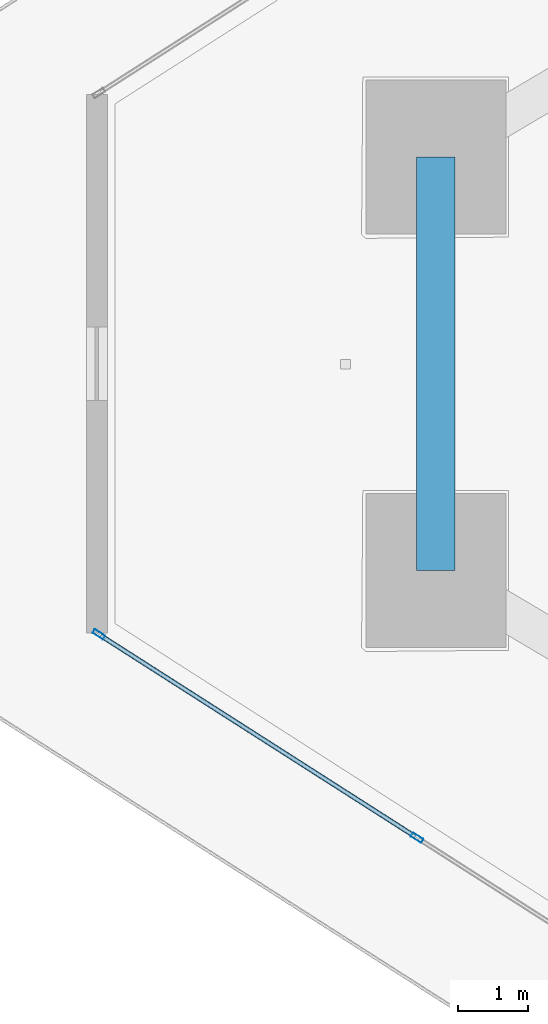
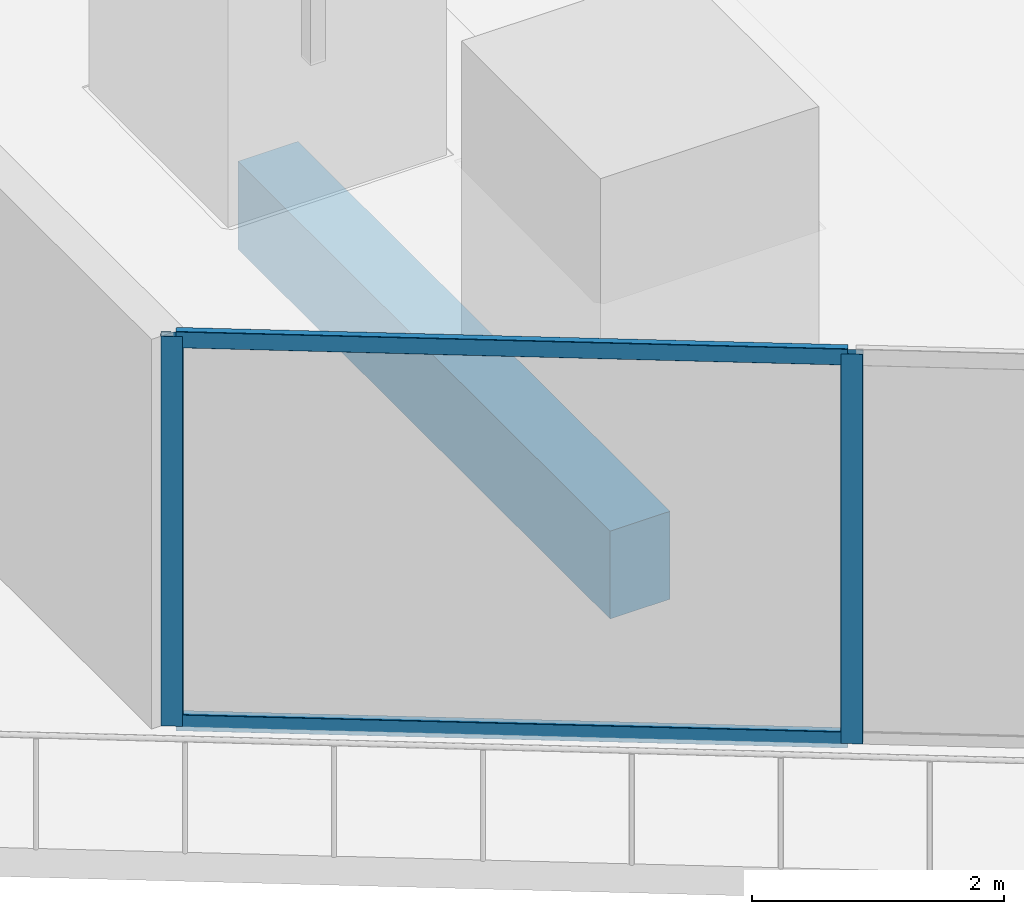
# One storey, part 4 of 42: 4 members, 1 beam, 1 element without a shape of its own.
"""IFC4 building model written with IfcOpenShell, lengths in metres."""

from ifc_helpers import new_model, si_unit, direction, frame, origin, origin_2d, place, context, subcontext, project, spatial, rectangle, hollow_rectangle, extrude, material, layer, layer_set, material_profile, profile_set, type_object, element, aggregate, save


model = new_model("IFC4")

# Units and contexts
model_context = context("Model", 3, precision=1e-05, world=origin(), true_north=direction((0.0, 1.0)))
body_context = subcontext(model_context, "Body", "Model", "MODEL_VIEW")
ifc_project = project(units=[si_unit("LENGTHUNIT", "METRE"), si_unit("AREAUNIT", "SQUARE_METRE"), si_unit("VOLUMEUNIT", "CUBIC_METRE"), si_unit("PLANEANGLEUNIT", "RADIAN"), si_unit("MASSUNIT", "GRAM", prefix="KILO")], contexts=[model_context])

# Site, building, storey
site_placement = place(None, origin())
site = spatial("IfcSite", under=ifc_project, at=site_placement, CompositionType="ELEMENT")
building_placement = place(site_placement, origin())
building = spatial("IfcBuilding", under=site, at=building_placement, Name="Qorvath Tower", CompositionType="ELEMENT")
storey_placement = place(building_placement, frame((0.0, 0.0, 121.949951171875)))
storey = spatial("IfcBuildingStorey", under=building, at=storey_placement, Name="L27", CompositionType="ELEMENT", Elevation=121.949951171875)

# Beam
ifc_material_1 = material(Name="Concrete C50/60", Category="concrete")
ifc_material_profile_1 = material_profile(ifc_material_1, rectangle(XDim=0.550048828125, YDim=0.85009765625, at=origin_2d()), Name="RCB 850x550")
ifc_profile_set_1 = profile_set([ifc_material_profile_1], Name="Concrete C50/60")
beam_type = type_object("IfcBeamType", Name="BM-RCB2", PredefinedType="SPANDREL", material=ifc_profile_set_1)
beam_placement = place(storey_placement, frame((-53.04931640625, 2.95068359375, -0.705078125), z_axis=(0.0, -1.0, 0.0), x_axis=(1.0, 0.0, 0.0)))
element("IfcBeam", 1, at=beam_placement, inside=storey, type_object=beam_type, Name="Perimeter Loggia Frame Beam MC1-MC2 L27", PredefinedType="SPANDREL", context=body_context, shape_type="SweptSolid", body=[
    extrude(rectangle(XDim=0.550048828125, YDim=0.85009765625, at=origin_2d()), origin(), (0.0, 0.0, 1.0), 5.9013671875),
])

# Curtain wall, members
ifc_material_2 = material(Name="Anodised aluminium and triple low-E glass", Category="aluminium")
ifc_layer = layer(ifc_material_2, 0.179931640625)
ifc_layer_set = layer_set([ifc_layer], Name="CW-SYS-2")
curtain_wall_type = type_object("IfcCurtainWallType", Name="CW-SYS-2", PredefinedType="NOTDEFINED", material=ifc_layer_set)
curtain_wall_placement = place(storey_placement, origin())
curtain_wall = element("IfcCurtainWall", 2, at=curtain_wall_placement, inside=storey, type_object=curtain_wall_type, Name="Curtain Wall CW-2 CW-T-L27-2.1", PredefinedType="NOTDEFINED")
ifc_material_3 = material(Name="Anodised aluminium 6063-T6", Category="aluminium")
ifc_material_profile_2 = material_profile(ifc_material_3, hollow_rectangle(XDim=0.06494140625, YDim=0.179931640625, WallThickness=0.00341796875, InnerFilletRadius=0.00341796875, OuterFilletRadius=0.007080078125, at=origin_2d()), Name="CWM 180x65")
ifc_profile_set_2 = profile_set([ifc_material_profile_2], Name="Anodised aluminium 6063-T6")
member_type_1 = type_object("IfcMemberType", Name="CWM-180", PredefinedType="MULLION", material=ifc_profile_set_2)
member_1_placement = place(storey_placement, frame((-57.86181640625, -3.8662109375, 0.0), z_axis=(0.0, 0.0, 1.0), x_axis=(0.538534177075, 0.842603667285, 0.0)))
member_1 = element("IfcMember", 3, at=member_1_placement, type_object=member_type_1, Name="CW-2 mullion 1", PredefinedType="MULLION", context=body_context, shape_type="SweptSolid", body=[
    extrude(hollow_rectangle(XDim=0.06494140625, YDim=0.179931640625, WallThickness=0.00341796875, InnerFilletRadius=0.00341796875, OuterFilletRadius=0.007080078125, at=origin_2d()), origin(), (0.0, 0.0, 1.0), 3.77001953125),
])
member_2_placement = place(storey_placement, frame((-53.317138671875, -6.770751953125, 0.0), z_axis=(0.0, 0.0, 1.0), x_axis=(0.538534177075, 0.842603667285, 0.0)))
member_2 = element("IfcMember", 4, at=member_2_placement, type_object=member_type_1, Name="CW-2 mullion 2", PredefinedType="MULLION", context=body_context, shape_type="SweptSolid", body=[
    extrude(hollow_rectangle(XDim=0.06494140625, YDim=0.179931640625, WallThickness=0.00341796875, InnerFilletRadius=0.00341796875, OuterFilletRadius=0.007080078125, at=origin_2d()), origin(), (0.0, 0.0, 1.0), 3.77001953125),
])
ifc_material_4 = material(Name="Anodised aluminium 6063-T6", Category="aluminium")
ifc_material_profile_3 = material_profile(ifc_material_4, hollow_rectangle(XDim=0.06494140625, YDim=0.159912109375, WallThickness=0.00341796875, InnerFilletRadius=0.00341796875, OuterFilletRadius=0.007080078125, at=origin_2d()), Name="CWT 160x65")
ifc_profile_set_3 = profile_set([ifc_material_profile_3], Name="Anodised aluminium 6063-T6")
member_type_2 = type_object("IfcMemberType", Name="CWT-160", PredefinedType="USERDEFINED", material=ifc_profile_set_3)
member_3_placement = place(storey_placement, frame((-57.83447265625, -3.883544921875, 0.032470703125), z_axis=(0.842609059562, -0.538525740095, 0.0), x_axis=(0.538525740095, 0.842609059562, 0.0)))
member_3 = element("IfcMember", 5, at=member_3_placement, type_object=member_type_2, Name="CW-2 transom 1.1", ObjectType="TRANSOM", PredefinedType="USERDEFINED", context=body_context, shape_type="SweptSolid", body=[
    extrude(hollow_rectangle(XDim=0.06494140625, YDim=0.159912109375, WallThickness=0.00341796875, InnerFilletRadius=0.00341796875, OuterFilletRadius=0.007080078125, at=origin_2d()), origin(), (0.0, 0.0, 1.0), 5.32861328125),
])
member_4_placement = place(storey_placement, frame((-57.83447265625, -3.883544921875, 3.737548828125), z_axis=(0.842609059562, -0.538525740095, 0.0), x_axis=(0.538525740095, 0.842609059562, 0.0)))
member_4 = element("IfcMember", 6, at=member_4_placement, type_object=member_type_2, Name="CW-2 transom 1.2", ObjectType="TRANSOM", PredefinedType="USERDEFINED", context=body_context, shape_type="SweptSolid", body=[
    extrude(hollow_rectangle(XDim=0.06494140625, YDim=0.159912109375, WallThickness=0.00341796875, InnerFilletRadius=0.00341796875, OuterFilletRadius=0.007080078125, at=origin_2d()), origin(), (0.0, 0.0, 1.0), 5.32861328125),
])
aggregate(curtain_wall, [member_1, member_2, member_3, member_4])

save(model, "model.ifc")
